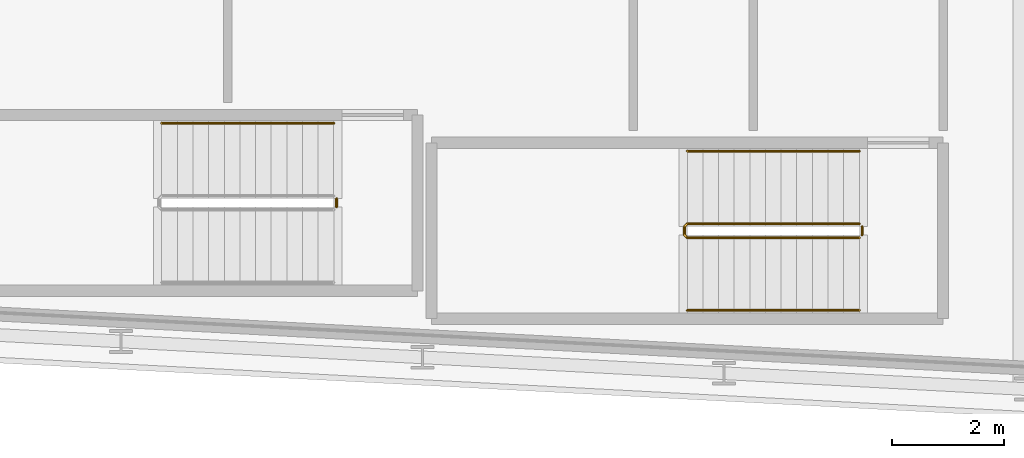
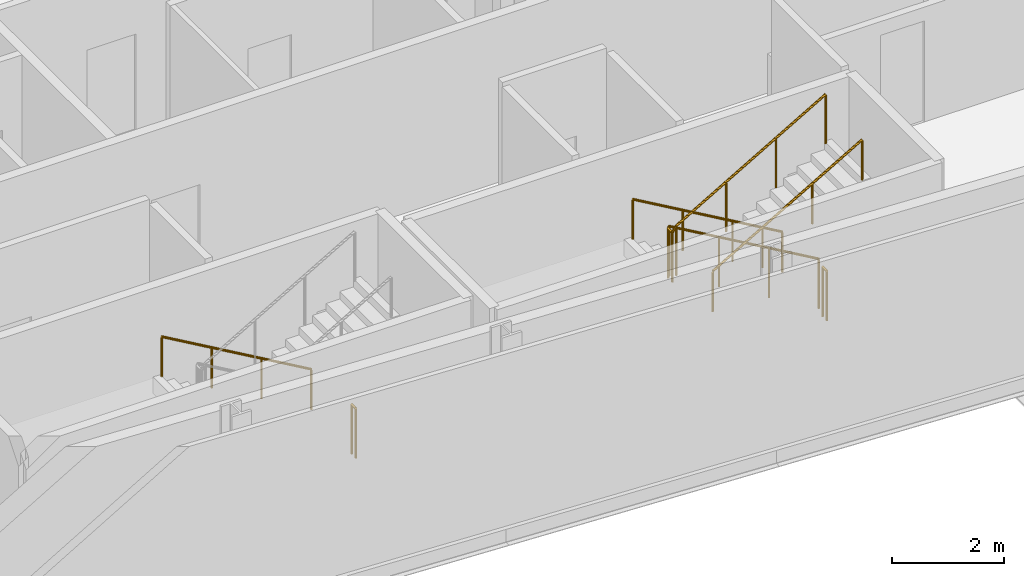
# One storey, part 27 of 30: 6 railings.
"""IFC4 building model written with IfcOpenShell, lengths in metres."""

from ifc_helpers import new_model, si_unit, direction, frame, origin, origin_2d, place, context, subcontext, project, spatial, circle, extrude, material, type_object, element, save


model = new_model("IFC4")

# Units and contexts
model_context = context("Model", 3, precision=1e-05, world=origin(), true_north=direction((0.0, 1.0)))
body_context = subcontext(model_context, "Body", "Model", "MODEL_VIEW")
ifc_project = project(units=[si_unit("LENGTHUNIT", "METRE"), si_unit("AREAUNIT", "SQUARE_METRE"), si_unit("VOLUMEUNIT", "CUBIC_METRE"), si_unit("PLANEANGLEUNIT", "RADIAN"), si_unit("MASSUNIT", "GRAM", prefix="KILO")], contexts=[model_context])

# Site, building, storey
site_placement = place(None, origin())
site = spatial("IfcSite", under=ifc_project, at=site_placement, CompositionType="ELEMENT")
building_placement = place(site_placement, origin())
building = spatial("IfcBuilding", under=site, at=building_placement, Name="Kheshtan School and Residences Tower", CompositionType="ELEMENT")
storey_placement = place(building_placement, frame((0.0, 0.0, 199.39990234375)))
storey = spatial("IfcBuildingStorey", under=building, at=storey_placement, Name="L47", CompositionType="ELEMENT", Elevation=199.39990234375)

# Railings
ifc_material_1 = material(Name="Stainless steel balustrade", Category="steel")
railing_type_1 = type_object("IfcRailingType", Name="Stair guard 1100", PredefinedType="GUARDRAIL", material=ifc_material_1)
railing_1_placement = place(storey_placement, frame((87.820068359375, 23.949951171875, 0.16259765625)))
element("IfcRailing", 1, at=railing_1_placement, inside=storey, type_object=railing_type_1, Name="L47 ST4 stair guard 1", PredefinedType="GUARDRAIL", context=body_context, shape_type="SweptSolid", body=[
    extrude(circle(Radius=0.02392578125, at=origin_2d()), frame((0.0, 0.0, 1.076171875), z_axis=(-0.864890721111, 0.0, 0.501960198159), x_axis=(0.0, -1.0, 0.0)), (0.0, 0.0, 1.0), 3.561279296875),
    extrude(circle(Radius=0.02392578125, at=origin_2d()), frame((-3.080078125, 0.0, 2.86376953125), z_axis=(-0.707106781187, -0.707106781187, 0.0), x_axis=(0.707106781187, -0.707106781187, 0.0)), (0.0, 0.0, 1.0), 0.07080078125),
    extrude(circle(Radius=0.02392578125, at=origin_2d()), frame((-3.130126953125, -0.050048828125, 2.86376953125), z_axis=(0.0, -1.0, 0.0), x_axis=(1.0, 0.0, 0.0)), (0.0, 0.0, 1.0), 0.14990234375),
    extrude(circle(Radius=0.02392578125, at=origin_2d()), frame((-3.130126953125, -0.199951171875, 2.86376953125), z_axis=(0.282583949758, -0.282583949758, 0.916674763849), x_axis=(0.707106781187, 0.707106781187, 0.0)), (0.0, 0.0, 1.0), 0.177001953125),
    extrude(circle(Radius=0.02392578125, at=origin_2d()), frame((-3.080078125, -0.25, 3.02587890625), z_axis=(0.864890721111, 0.0, 0.501960198159), x_axis=(0.0, 1.0, 0.0)), (0.0, 0.0, 1.0), 3.561279296875),
    extrude(circle(Radius=0.02099609375, at=origin_2d()), origin(), (0.0, 0.0, 1.0), 1.052001953125),
    extrude(circle(Radius=0.02099609375, at=origin_2d()), frame((-1.026611328125, 0.0, 0.595947265625)), (0.0, 0.0, 1.0), 1.052001953125),
    extrude(circle(Radius=0.02099609375, at=origin_2d()), frame((-2.053466796875, 0.0, 1.191650390625)), (0.0, 0.0, 1.0), 1.052001953125),
    extrude(circle(Radius=0.02099609375, at=origin_2d()), frame((-3.080078125, 0.0, 1.78759765625)), (0.0, 0.0, 1.0), 1.052001953125),
    extrude(circle(Radius=0.02099609375, at=origin_2d()), frame((-3.130126953125, -0.050048828125, 1.78759765625)), (0.0, 0.0, 1.0), 1.052001953125),
    extrude(circle(Radius=0.02099609375, at=origin_2d()), frame((-3.130126953125, -0.199951171875, 1.78759765625)), (0.0, 0.0, 1.0), 1.052001953125),
    extrude(circle(Radius=0.02099609375, at=origin_2d()), frame((-3.080078125, -0.25, 1.949951171875)), (0.0, 0.0, 1.0), 1.052001953125),
    extrude(circle(Radius=0.02099609375, at=origin_2d()), frame((-2.053466796875, -0.25, 2.5458984375)), (0.0, 0.0, 1.0), 1.052001953125),
    extrude(circle(Radius=0.02099609375, at=origin_2d()), frame((-1.026611328125, -0.25, 3.1416015625)), (0.0, 0.0, 1.0), 1.052001953125),
    extrude(circle(Radius=0.02099609375, at=origin_2d()), frame((0.0, -0.25, 3.737548828125)), (0.0, 0.0, 1.0), 1.052001953125),
])
for number, where, name in (
    (2, (87.8701171875, 23.89990234375, 0.0), "L47 ST4 stair guard 2"),
    (3, (78.4599609375, 24.39990234375, 0.0), "L47 ST5 stair guard 2"),
):
    element("IfcRailing", number, at=place(storey_placement, frame(where)), inside=storey, type_object=railing_type_1, Name=name, PredefinedType="GUARDRAIL", context=body_context, shape_type="SweptSolid", body=[
        extrude(circle(Radius=0.02392578125, at=origin_2d()), frame((0.0, 0.0, 1.076171875), z_axis=(0.0, -1.0, 0.0), x_axis=(1.0, 0.0, 0.0)), (0.0, 0.0, 1.0), 0.14990234375),
        extrude(circle(Radius=0.02099609375, at=origin_2d()), origin(), (0.0, 0.0, 1.0), 1.052001953125),
        extrude(circle(Radius=0.02099609375, at=origin_2d()), frame((0.0, -0.14990234375, 0.0)), (0.0, 0.0, 1.0), 1.052001953125),
    ])
ifc_material_2 = material(Name="Stainless steel handrail", Category="steel")
railing_type_2 = type_object("IfcRailingType", Name="Stair handrail 900", PredefinedType="HANDRAIL", material=ifc_material_2)
railing_2_placement = place(storey_placement, frame((87.820068359375, 25.25, 0.16259765625)))
element("IfcRailing", 4, at=railing_2_placement, inside=storey, type_object=railing_type_2, Name="L47 ST4 stair handrail 1", PredefinedType="HANDRAIL", context=body_context, shape_type="SweptSolid", body=[
    extrude(circle(Radius=0.02392578125, at=origin_2d()), frame((0.0, 0.0, 0.8759765625), z_axis=(-0.864890721111, 0.0, 0.501960198159), x_axis=(0.0, -1.0, 0.0)), (0.0, 0.0, 1.0), 3.561279296875),
    extrude(circle(Radius=0.02099609375, at=origin_2d()), origin(), (0.0, 0.0, 1.0), 0.851806640625),
    extrude(circle(Radius=0.02099609375, at=origin_2d()), frame((-1.026611328125, 0.0, 0.595947265625)), (0.0, 0.0, 1.0), 0.851806640625),
    extrude(circle(Radius=0.02099609375, at=origin_2d()), frame((-2.053466796875, 0.0, 1.191650390625)), (0.0, 0.0, 1.0), 0.851806640625),
    extrude(circle(Radius=0.02099609375, at=origin_2d()), frame((-3.080078125, 0.0, 1.78759765625)), (0.0, 0.0, 1.0), 0.851806640625),
])
railing_3_placement = place(storey_placement, frame((84.739990234375, 22.39990234375, 2.112548828125)))
element("IfcRailing", 5, at=railing_3_placement, inside=storey, type_object=railing_type_2, Name="L47 ST4 stair handrail 2", PredefinedType="HANDRAIL", context=body_context, shape_type="SweptSolid", body=[
    extrude(circle(Radius=0.02392578125, at=origin_2d()), frame((0.0, 0.0, 0.8759765625), z_axis=(0.864890721111, 0.0, 0.501960198159), x_axis=(0.0, 1.0, 0.0)), (0.0, 0.0, 1.0), 3.561279296875),
    extrude(circle(Radius=0.02099609375, at=origin_2d()), origin(), (0.0, 0.0, 1.0), 0.851806640625),
    extrude(circle(Radius=0.02099609375, at=origin_2d()), frame((1.026611328125, 0.0, 0.595947265625)), (0.0, 0.0, 1.0), 0.851806640625),
    extrude(circle(Radius=0.02099609375, at=origin_2d()), frame((2.053466796875, 0.0, 1.191650390625)), (0.0, 0.0, 1.0), 0.851806640625),
    extrude(circle(Radius=0.02099609375, at=origin_2d()), frame((3.080078125, 0.0, 1.78759765625)), (0.0, 0.0, 1.0), 0.851806640625),
])
railing_4_placement = place(storey_placement, frame((78.409912109375, 25.75, 0.16259765625)))
element("IfcRailing", 6, at=railing_4_placement, inside=storey, type_object=railing_type_2, Name="L47 ST5 stair handrail 1", PredefinedType="HANDRAIL", context=body_context, shape_type="SweptSolid", body=[
    extrude(circle(Radius=0.02392578125, at=origin_2d()), frame((0.0, 0.0, 0.8759765625), z_axis=(-0.864873446163, 0.0, 0.501989962173), x_axis=(0.0, -1.0, 0.0)), (0.0, 0.0, 1.0), 3.56103515625),
    extrude(circle(Radius=0.02099609375, at=origin_2d()), origin(), (0.0, 0.0, 1.0), 0.851806640625),
    extrude(circle(Radius=0.02099609375, at=origin_2d()), frame((-1.026611328125, 0.0, 0.595947265625)), (0.0, 0.0, 1.0), 0.851806640625),
    extrude(circle(Radius=0.02099609375, at=origin_2d()), frame((-2.05322265625, 0.0, 1.191650390625)), (0.0, 0.0, 1.0), 0.851806640625),
    extrude(circle(Radius=0.02099609375, at=origin_2d()), frame((-3.079833984375, 0.0, 1.78759765625)), (0.0, 0.0, 1.0), 0.851806640625),
])

save(model, "model.ifc")
